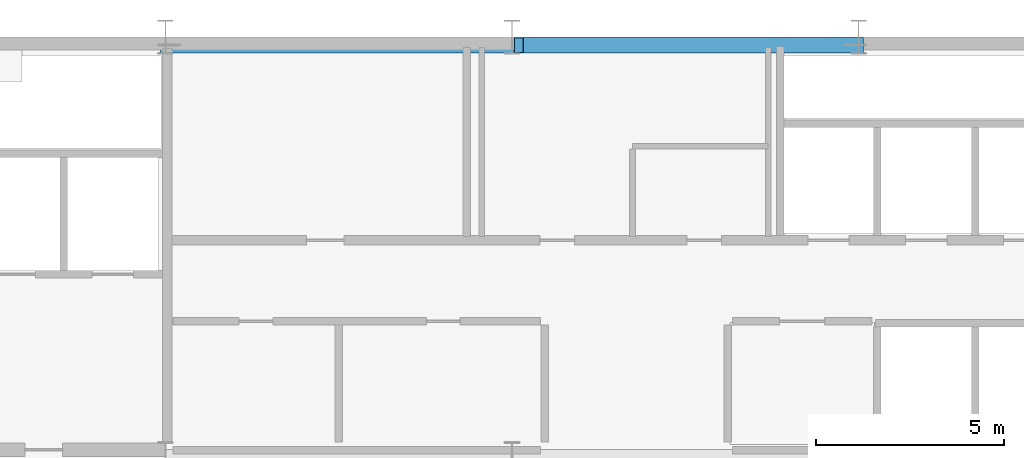
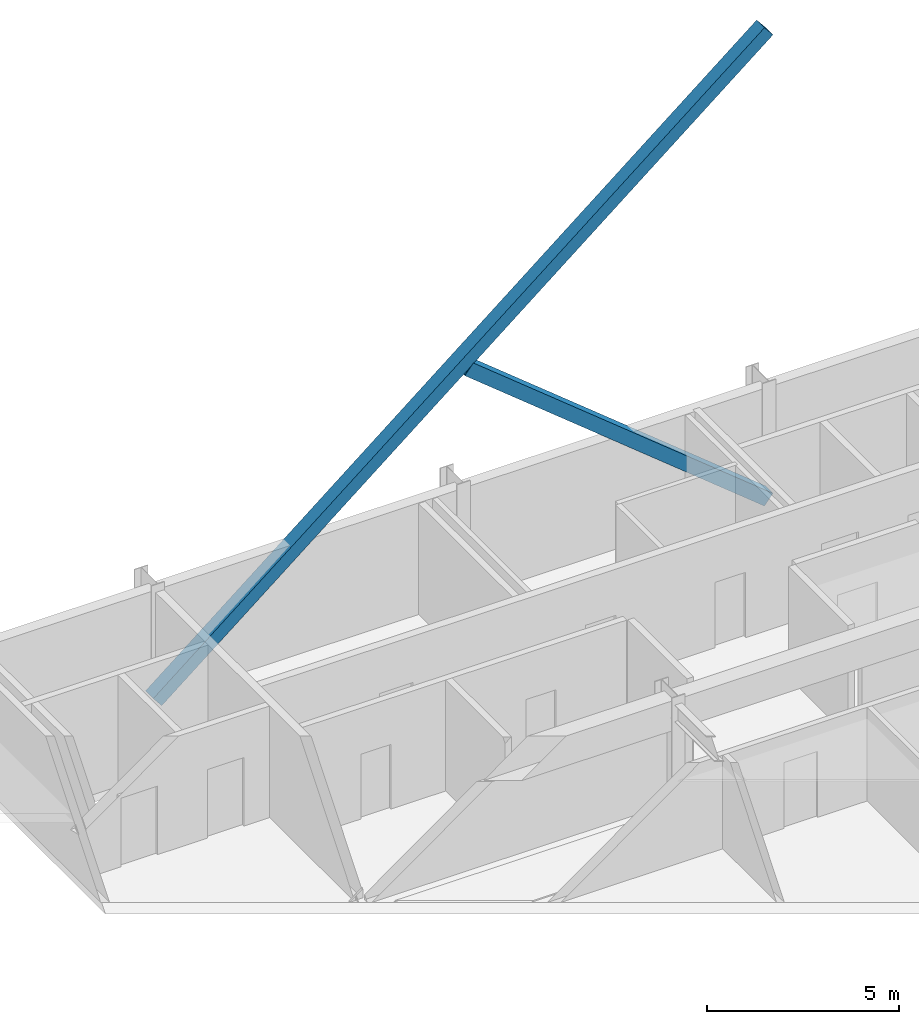
# One storey, part 16 of 25: 2 members.
"""IFC4 building model written with IfcOpenShell, lengths in metres."""

from ifc_helpers import new_model, si_unit, direction, frame, origin, origin_2d, place, context, subcontext, project, spatial, hollow_rectangle, extrude, source, transform, mapped, material, material_profile, profile_set, type_object, type_shapes, element, save


model = new_model("IFC4")

# Units and contexts
model_context = context("Model", 3, precision=1e-05, world=origin(), true_north=direction((0.0, 1.0)))
body_context = subcontext(model_context, "Body", "Model", "MODEL_VIEW")
ifc_project = project(units=[si_unit("LENGTHUNIT", "METRE"), si_unit("AREAUNIT", "SQUARE_METRE"), si_unit("VOLUMEUNIT", "CUBIC_METRE"), si_unit("PLANEANGLEUNIT", "RADIAN"), si_unit("MASSUNIT", "GRAM", prefix="KILO")], contexts=[model_context])

# Site, building, storey
site_placement = place(None, origin())
site = spatial("IfcSite", under=ifc_project, at=site_placement, CompositionType="ELEMENT")
building_placement = place(site_placement, origin())
building = spatial("IfcBuilding", under=site, at=building_placement, Name="Varnel Quay Broadcast Tower", CompositionType="ELEMENT")
storey_placement = place(building_placement, frame((0.0, 0.0, 258.39990234375)))
storey = spatial("IfcBuildingStorey", under=building, at=storey_placement, Name="L64", CompositionType="ELEMENT", Elevation=258.39990234375)

# Members
ifc_material = material(Name="Structural Steel CSA G40.21 350W", Category="steel")
ifc_material_profile = material_profile(ifc_material, hollow_rectangle(XDim=0.406005859375, YDim=0.406005859375, WallThickness=0.01611328125, at=origin_2d()), Name="HSS406X406X16")
ifc_profile_set = profile_set([ifc_material_profile], Name="Structural Steel CSA G40.21 350W")
member_type = type_object("IfcMemberType", Name="Brace_HSS406X406X16", PredefinedType="BRACE", material=ifc_profile_set)
shared_shape_1 = source(origin(), body_context, "Body", "SweptSolid", [
    extrude(hollow_rectangle(XDim=0.406005859375, YDim=0.406005859375, WallThickness=0.01611328125, at=origin_2d()), origin(), (0.0, 0.0, 1.0), 23.6826171875),
])
member_1_placement = place(storey_placement, frame((24.800048828125, 46.580078125, 0.02001953125), z_axis=(0.776935088088, 0.0, 0.629580708804), x_axis=(0.0, 1.0, 0.0)))
element("IfcMember", 1, at=member_1_placement, inside=storey, type_object=member_type, Name="Zone 5 Mega-Brace N-CT1 Continuous Diag A", PredefinedType="BRACE", context=body_context, shape_type="MappedRepresentation", body=[
    mapped(shared_shape_1, transform((0.0, 0.0, 0.0), x_axis=(1.0, 0.0, 0.0), y_axis=(0.0, 1.0, 0.0), z_axis=(0.0, 0.0, 1.0), scale=1.0)),
])
shared_shape_2 = source(origin(), body_context, "Body", "SweptSolid", [
    extrude(hollow_rectangle(XDim=0.406005859375, YDim=0.406005859375, WallThickness=0.01611328125, at=origin_2d()), origin(), (0.0, 0.0, 1.0), 11.608642578125),
])
type_shapes(member_type, [shared_shape_1, shared_shape_2])
member_2_placement = place(storey_placement, frame((43.199951171875, 46.580078125, 0.02001953125), z_axis=(-0.776938680611, 0.0, 0.629576275418), x_axis=(0.0, -1.0, 0.0)))
element("IfcMember", 2, at=member_2_placement, inside=storey, type_object=member_type, Name="Zone 5 Mega-Brace N-CT1 Split Diag B1", PredefinedType="BRACE", context=body_context, shape_type="MappedRepresentation", body=[
    mapped(shared_shape_2, transform((0.0, 0.0, 0.0), x_axis=(1.0, 0.0, 0.0), y_axis=(0.0, 1.0, 0.0), z_axis=(0.0, 0.0, 1.0), scale=1.0)),
])

save(model, "model.ifc")
